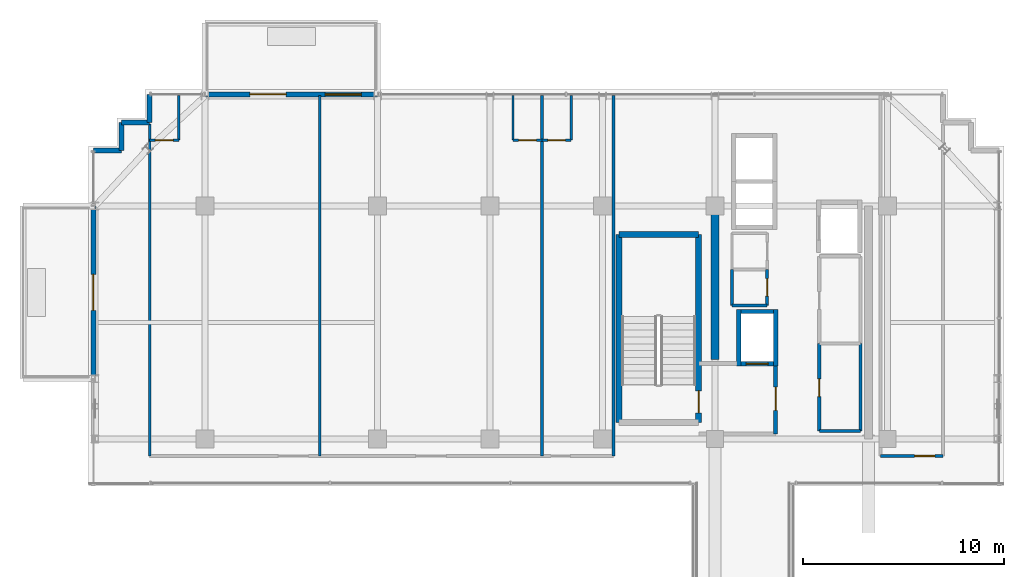
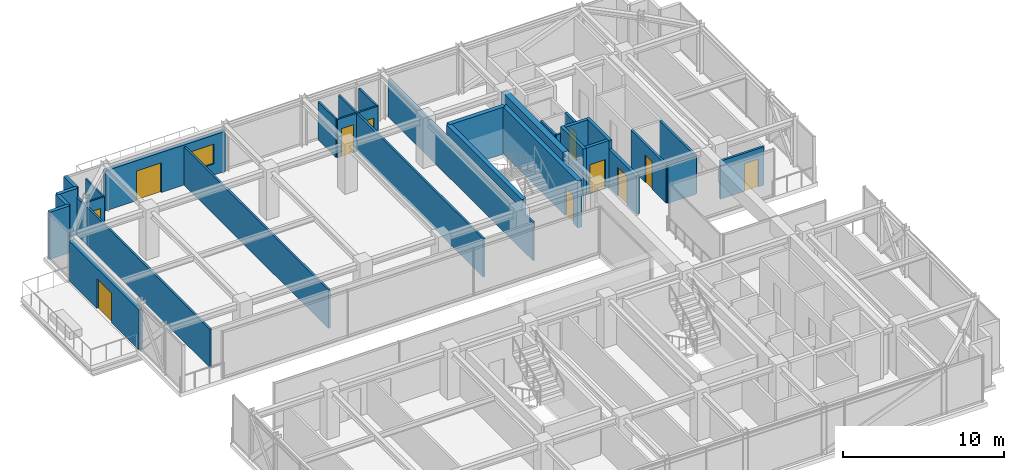
# One storey, part 35 of 40: 32 walls, 11 doors, 1 window, 12 openings.
"""IFC4 building model written with IfcOpenShell, lengths in metres."""

from ifc_helpers import new_model, si_unit, direction, frame, frame_2d, origin, place, context, subcontext, project, spatial, rectangle, extrude, source, transform, mapped, material, layer, layer_set, type_object, element, fill, save


model = new_model("IFC4")

# Units and contexts
model_context = context("Model", 3, precision=1e-05, world=origin(), true_north=direction((0.0, 1.0)))
body_context = subcontext(model_context, "Body", "Model", "MODEL_VIEW")
ifc_project = project(units=[si_unit("LENGTHUNIT", "METRE"), si_unit("AREAUNIT", "SQUARE_METRE"), si_unit("VOLUMEUNIT", "CUBIC_METRE"), si_unit("PLANEANGLEUNIT", "RADIAN"), si_unit("MASSUNIT", "GRAM", prefix="KILO")], contexts=[model_context])

# Site, building, storey
site_placement = place(None, origin())
site = spatial("IfcSite", under=ifc_project, at=site_placement, CompositionType="ELEMENT")
building_placement = place(site_placement, origin())
building = spatial("IfcBuilding", under=site, at=building_placement, Name="Nahalor Promenade Grand Hotel", CompositionType="ELEMENT")
storey_placement = place(building_placement, frame((0.0, 0.0, 288.800048828125)))
storey = spatial("IfcBuildingStorey", under=building, at=storey_placement, Name="L74", CompositionType="ELEMENT", Elevation=288.800048828125)

# Walls
ifc_material_1 = material(Name="Concrete B-50 (C40/50)", Category="concrete")
ifc_layer_1 = layer(ifc_material_1, 0.39990234375)
ifc_layer_set_1 = layer_set([ifc_layer_1], Name="Concrete B-50 (C40/50)")
wall_type_1 = type_object("IfcWallType", Name="Wall-CoreShear-400", PredefinedType="SHEAR", material=ifc_layer_set_1)
shared_shape_1 = source(origin(), body_context, "Body", "SweptSolid", [
    extrude(rectangle(XDim=7.64990234375, YDim=0.39990234375, at=frame_2d((3.824951171875, 0.0))), origin(), (0.0, 0.0, 1.0), 3.550048828125),
])
wall_1_placement = place(storey_placement, frame((8.39990234375, 9.35009765625, 0.0), z_axis=(0.0, 0.0, 1.0), x_axis=(0.0, 1.0, 0.0)))
element("IfcWall", 1, at=wall_1_placement, inside=storey, type_object=wall_type_1, Name="CWALL-L74-NW", PredefinedType="SHEAR", context=body_context, shape_type="MappedRepresentation", body=[
    mapped(shared_shape_1, transform((0.0, 0.0, 0.0), scale=1.0)),
])
ifc_layer_2 = layer(ifc_material_1, 0.300048828125)
ifc_layer_set_2 = layer_set([ifc_layer_2], Name="Concrete B-50 (C40/50)")
wall_type_2 = type_object("IfcWallType", Name="Wall-ShaftShear-300", PredefinedType="SHEAR", material=ifc_layer_set_2)
shared_shape_2 = source(origin(), body_context, "Body", "SweptSolid", [
    extrude(rectangle(XDim=3.97998046875, YDim=0.300048828125, at=frame_2d((1.989990234375, 0.0))), origin(), (0.0, 0.0, 1.0), 3.550048828125),
])
wall_2_placement = place(storey_placement, frame((3.610107421875, 15.590087890625, 0.0), z_axis=(0.0, 0.0, 1.0), x_axis=(1.0, 0.0, 0.0)))
element("IfcWall", 2, at=wall_2_placement, inside=storey, type_object=wall_type_2, Name="L74 Exit Stair ST1 Shaft Wall N", PredefinedType="SHEAR", context=body_context, shape_type="MappedRepresentation", body=[
    mapped(shared_shape_2, transform((0.0, 0.0, 0.0), scale=1.0)),
])
shared_shape_3 = source(origin(), body_context, "Body", "SweptSolid", [
    extrude(rectangle(XDim=9.380126953125, YDim=0.300048828125, at=frame_2d((4.68994140625, 0.0))), origin(), (0.0, 0.0, 1.0), 3.550048828125),
])
wall_3_placement = place(storey_placement, frame((3.610107421875, 6.2099609375, 0.0), z_axis=(0.0, 0.0, 1.0), x_axis=(0.0, 1.0, 0.0)))
element("IfcWall", 3, at=wall_3_placement, inside=storey, type_object=wall_type_2, Name="L74 Exit Stair ST1 Shaft Wall W", PredefinedType="SHEAR", context=body_context, shape_type="MappedRepresentation", body=[
    mapped(shared_shape_3, transform((0.0, 0.0, 0.0), scale=1.0)),
])

# Wall, opening, door
wall_4_placement = place(storey_placement, frame((7.590087890625, 6.2099609375, 0.0), z_axis=(0.0, 0.0, 1.0), x_axis=(0.0, 1.0, 0.0)))
wall_4 = element("IfcWall", 4, at=wall_4_placement, inside=storey, type_object=wall_type_2, Name="L74 Exit Stair ST1 Shaft Wall E", PredefinedType="SHEAR", context=body_context, shape_type="MappedRepresentation", body=[
    mapped(shared_shape_3, transform((0.0, 0.0, 0.0), scale=1.0)),
])
opening_1_placement = place(wall_4_placement, frame((0.489990234375, 0.0, 0.0)))
opening_1 = element("IfcOpeningElement", 5, at=opening_1_placement, cuts=wall_4, Name="Opening D-ST1", PredefinedType="OPENING", context=body_context, shape_type="SweptSolid", body=[
    extrude(rectangle(XDim=1.10009765625, YDim=2.14990234375, at=frame_2d((0.550048828125, 1.074951171875))), frame((0.0, 0.159912109375, 0.0), z_axis=(0.0, -1.0, 0.0), x_axis=(1.0, 0.0, 0.0)), (0.0, 0.0, 1.0), 0.320068359375),
])
ifc_material_2 = material(Name="Steel S355JR", Category="steel")
door_type_1 = type_object("IfcDoorType", Name="Door-StairFire-1100", OperationType="NOTDEFINED", PredefinedType="DOOR", material=ifc_material_2)
shared_shape_4 = source(origin(), body_context, "Body", "SweptSolid", [
    extrude(rectangle(XDim=1.10009765625, YDim=2.14990234375, at=frame_2d((0.550048828125, 1.074951171875))), frame((0.0, 0.02490234375, 0.0), z_axis=(0.0, -1.0, 0.0), x_axis=(1.0, 0.0, 0.0)), (0.0, 0.0, 1.0), 0.050048828125),
])
door_1_placement = place(opening_1_placement, origin())
door_1 = element("IfcDoor", 6, at=door_1_placement, inside=storey, type_object=door_type_1, Name="DR-STAIR-ST1-L74", OperationType="SINGLE_SWING_LEFT", OverallHeight=2.14990234375, OverallWidth=1.10009765625, PredefinedType="DOOR", context=body_context, shape_type="MappedRepresentation", body=[
    mapped(shared_shape_4, transform((0.0, 0.0, 0.0), scale=1.0)),
])
fill(opening_1, door_1)

# Walls
ifc_layer_3 = layer(ifc_material_1, 0.219970703125)
ifc_layer_set_3 = layer_set([ifc_layer_3], Name="Concrete B-50 (C40/50)")
wall_type_3 = type_object("IfcWallType", Name="Wall-LiftShaft-220", PredefinedType="SHEAR", material=ifc_layer_set_3)
shared_shape_5 = source(origin(), body_context, "Body", "SweptSolid", [
    extrude(rectangle(XDim=2.820068359375, YDim=0.219970703125, at=frame_2d((1.41015625, 0.0))), origin(), (0.0, 0.0, 1.0), 3.550048828125),
])
for number, where, z_axis, x_axis, name in (
    (7, (9.580078125, 9.0400390625, 0.0), (0.0, 0.0, 1.0), (0.0, 1.0, 0.0), "L74 Lift FL1 Hoistway Wall W"),
    (8, (11.419921875, 9.0400390625, 0.0), (0.0, 0.0, 1.0), (0.0, 1.0, 0.0), "L74 Lift FL1 Hoistway Wall E"),
):
    element("IfcWall", number, at=place(storey_placement, frame(where, z_axis=z_axis, x_axis=x_axis)), inside=storey, type_object=wall_type_3, Name=name, PredefinedType="SHEAR", context=body_context, shape_type="MappedRepresentation", body=[
        mapped(shared_shape_5, transform((0.0, 0.0, 0.0), scale=1.0)),
    ])

# Wall, opening, door
shared_shape_6 = source(origin(), body_context, "Body", "SweptSolid", [
    extrude(rectangle(XDim=1.6201171875, YDim=0.219970703125, at=frame_2d((0.81005859375, 0.0))), origin(), (0.0, 0.0, 1.0), 3.550048828125),
])
wall_5_placement = place(storey_placement, frame((9.68994140625, 9.14990234375, 0.0), z_axis=(0.0, 0.0, 1.0), x_axis=(1.0, 0.0, 0.0)))
wall_5 = element("IfcWall", 9, at=wall_5_placement, inside=storey, type_object=wall_type_3, Name="L74 Lift FL1 Hoistway Wall S", PredefinedType="SHEAR", context=body_context, shape_type="MappedRepresentation", body=[
    mapped(shared_shape_6, transform((0.0, 0.0, 0.0), scale=1.0)),
])
opening_2_placement = place(wall_5_placement, frame((0.260009765625, 0.0, 0.0)))
opening_2 = element("IfcOpeningElement", 10, at=opening_2_placement, cuts=wall_5, Name="Opening LD-02", PredefinedType="OPENING", context=body_context, shape_type="SweptSolid", body=[
    extrude(rectangle(XDim=1.10009765625, YDim=2.199951171875, at=frame_2d((0.550048828125, 1.10009765625))), frame((0.0, 0.119873046875, 0.0), z_axis=(0.0, -1.0, 0.0), x_axis=(1.0, 0.0, 0.0)), (0.0, 0.0, 1.0), 0.239990234375),
])
door_type_2 = type_object("IfcDoorType", Name="Door-LiftFF-1100", OperationType="DOUBLE_DOOR_SLIDING", PredefinedType="DOOR", material=ifc_material_2)
shared_shape_7 = source(origin(), body_context, "Body", "SweptSolid", [
    extrude(rectangle(XDim=1.10009765625, YDim=2.199951171875, at=frame_2d((0.550048828125, 1.10009765625))), frame((0.0, 0.02490234375, 0.0), z_axis=(0.0, -1.0, 0.0), x_axis=(1.0, 0.0, 0.0)), (0.0, 0.0, 1.0), 0.050048828125),
])
door_2_placement = place(opening_2_placement, frame((1.10009765625, 0.0, 0.0), z_axis=(0.0, 0.0, 1.0), x_axis=(-1.0, 0.0, 0.0)))
door_2 = element("IfcDoor", 11, at=door_2_placement, inside=storey, type_object=door_type_2, Name="DR-LIFT-FL1-L74", OperationType="DOUBLE_DOOR_SLIDING", OverallHeight=2.199951171875, OverallWidth=1.10009765625, PredefinedType="DOOR", context=body_context, shape_type="MappedRepresentation", body=[
    mapped(shared_shape_7, transform((0.0, 0.0, 0.0), scale=1.0)),
])
fill(opening_2, door_2)

# Walls
wall_6_placement = place(storey_placement, frame((9.68994140625, 11.75, 0.0), z_axis=(0.0, 0.0, 1.0), x_axis=(1.0, 0.0, 0.0)))
element("IfcWall", 12, at=wall_6_placement, inside=storey, type_object=wall_type_3, Name="L74 Lift FL1 Hoistway Wall N", PredefinedType="SHEAR", context=body_context, shape_type="MappedRepresentation", body=[
    mapped(shared_shape_6, transform((0.0, 0.0, 0.0), scale=1.0)),
])
ifc_material_3 = material(Name="Concrete B-40 (C32/40)", Category="concrete")
ifc_layer_4 = layer(ifc_material_3, 0.25)
ifc_layer_set_4 = layer_set([ifc_layer_4], Name="Concrete B-40 (C32/40)")
wall_type_4 = type_object("IfcWallType", Name="Wall-BronzePier-250", PredefinedType="STANDARD", material=ifc_layer_set_4)
shared_shape_8 = source(origin(), body_context, "Body", "SweptSolid", [
    extrude(rectangle(XDim=1.400146484375, YDim=0.25, at=frame_2d((0.7001953125, 0.0))), origin(), (0.0, 0.0, 1.0), 3.550048828125),
])
for number, where, z_axis, x_axis, name in (
    (13, (-19.760009765625, 21.159912109375, 0.0), (0.0, 0.0, 1.0), (0.0, 1.0, 0.0), "W-L74-SR-09"),
    (14, (-22.56005859375, 19.760009765625, 0.0), (0.0, 0.0, 1.0), (1.0, 0.0, 0.0), "W-L74-SR-12"),
):
    element("IfcWall", number, at=place(storey_placement, frame(where, z_axis=z_axis, x_axis=x_axis)), inside=storey, type_object=wall_type_4, Name=name, PredefinedType="STANDARD", context=body_context, shape_type="MappedRepresentation", body=[
        mapped(shared_shape_8, transform((0.0, 0.0, 0.0), scale=1.0)),
    ])
shared_shape_9 = source(origin(), body_context, "Body", "SweptSolid", [
    extrude(rectangle(XDim=1.39990234375, YDim=0.25, at=frame_2d((0.699951171875, 0.0))), origin(), (0.0, 0.0, 1.0), 3.550048828125),
])
for number, where, z_axis, x_axis, name in (
    (15, (-21.159912109375, 21.159912109375, 0.0), (0.0, 0.0, 1.0), (1.0, 0.0, 0.0), "W-L74-SR-10"),
    (16, (-21.159912109375, 19.760009765625, 0.0), (0.0, 0.0, 1.0), (0.0, 1.0, 0.0), "W-L74-SR-11"),
):
    element("IfcWall", number, at=place(storey_placement, frame(where, z_axis=z_axis, x_axis=x_axis)), inside=storey, type_object=wall_type_4, Name=name, PredefinedType="STANDARD", context=body_context, shape_type="MappedRepresentation", body=[
        mapped(shared_shape_9, transform((0.0, 0.0, 0.0), scale=1.0)),
    ])

# Wall, openings, door, window
ifc_layer_5 = layer(ifc_material_3, 0.260009765625)
ifc_layer_set_5 = layer_set([ifc_layer_5], Name="Concrete B-40 (C32/40)")
wall_type_5 = type_object("IfcWallType", Name="Wall-BalconyWall-260", PredefinedType="STANDARD", material=ifc_layer_set_5)
shared_shape_10 = source(origin(), body_context, "Body", "SweptSolid", [
    extrude(rectangle(XDim=8.60009765625, YDim=0.260009765625, at=frame_2d((4.300048828125, 0.0))), origin(), (0.0, 0.0, 1.0), 3.030029296875),
])
wall_7_placement = place(storey_placement, frame((-17.0, 22.56005859375, 0.0), z_axis=(0.0, 0.0, 1.0), x_axis=(1.0, 0.0, 0.0)))
wall_7 = element("IfcWall", 17, at=wall_7_placement, inside=storey, type_object=wall_type_5, Name="W-L74-BALC-N-2", PredefinedType="STANDARD", context=body_context, shape_type="MappedRepresentation", body=[
    mapped(shared_shape_10, transform((0.0, 0.0, 0.0), scale=1.0)),
])
opening_3_placement = place(wall_7_placement, frame((2.23291015625, 0.0, 0.0)))
opening_3 = element("IfcOpeningElement", 18, at=opening_3_placement, cuts=wall_7, Name="Opening D-BC1", PredefinedType="OPENING", context=body_context, shape_type="SweptSolid", body=[
    extrude(rectangle(XDim=1.800048828125, YDim=2.25, at=frame_2d((0.89990234375, 1.125))), frame((0.0, 0.139892578125, 0.0), z_axis=(0.0, -1.0, 0.0), x_axis=(1.0, 0.0, 0.0)), (0.0, 0.0, 1.0), 0.280029296875),
])
opening_4_placement = place(wall_7_placement, frame((5.98291015625, 0.0, 0.85009765625)))
opening_4 = element("IfcOpeningElement", 19, at=opening_4_placement, cuts=wall_7, Name="Opening WN-01", PredefinedType="OPENING", context=body_context, shape_type="SweptSolid", body=[
    extrude(rectangle(XDim=1.800048828125, YDim=1.5, at=frame_2d((0.89990234375, 0.75))), frame((0.0, 0.139892578125, 0.0), z_axis=(0.0, -1.0, 0.0), x_axis=(1.0, 0.0, 0.0)), (0.0, 0.0, 1.0), 0.280029296875),
])
ifc_material_4 = material(Name="Anodised Bronze Aluminium EN AW-6063 T6", Category="aluminium")
door_type_3 = type_object("IfcDoorType", Name="Door-BalconySlide-1800", OperationType="DOUBLE_DOOR_SLIDING", PredefinedType="DOOR", material=ifc_material_4)
shared_shape_11 = source(origin(), body_context, "Body", "SweptSolid", [
    extrude(rectangle(XDim=1.800048828125, YDim=2.25, at=frame_2d((0.89990234375, 1.125))), frame((0.0, 0.02490234375, 0.0), z_axis=(0.0, -1.0, 0.0), x_axis=(1.0, 0.0, 0.0)), (0.0, 0.0, 1.0), 0.050048828125),
])
door_3_placement = place(opening_3_placement, origin())
door_3 = element("IfcDoor", 20, at=door_3_placement, inside=storey, type_object=door_type_3, Name="DR-L74-BALC-N-2", OperationType="DOUBLE_DOOR_SLIDING", OverallHeight=2.25, OverallWidth=1.800048828125, PredefinedType="DOOR", context=body_context, shape_type="MappedRepresentation", body=[
    mapped(shared_shape_11, transform((0.0, 0.0, 0.0), scale=1.0)),
])
fill(opening_3, door_3)
ifc_material_5 = material(Name="Low-E Laminated Solar Glass", Category="glass")
window_type = type_object("IfcWindowType", Name="Win-ChicagoBay-1800x1500", PartitioningType="SINGLE_PANEL", PredefinedType="WINDOW", material=ifc_material_5)
shared_shape_12 = source(origin(), body_context, "Body", "SweptSolid", [
    extrude(rectangle(XDim=1.800048828125, YDim=1.5, at=frame_2d((0.89990234375, 0.75))), frame((0.0, 0.030029296875, 0.0), z_axis=(0.0, -1.0, 0.0), x_axis=(1.0, 0.0, 0.0)), (0.0, 0.0, 1.0), 0.06005859375),
])
window_placement = place(opening_4_placement, origin())
window = element("IfcWindow", 21, at=window_placement, inside=storey, type_object=window_type, Name="WN-L74-BALC-N-2-1", OverallHeight=1.5, OverallWidth=1.800048828125, PartitioningType="SINGLE_PANEL", PredefinedType="WINDOW", context=body_context, shape_type="MappedRepresentation", body=[
    mapped(shared_shape_12, transform((0.0, 0.0, 0.0), scale=1.0)),
])
fill(opening_4, window)

# Wall, opening, door
wall_8_placement = place(storey_placement, frame((-22.56005859375, 8.39990234375, 0.0), z_axis=(0.0, 0.0, 1.0), x_axis=(0.0, 1.0, 0.0)))
wall_8 = element("IfcWall", 22, at=wall_8_placement, inside=storey, type_object=wall_type_5, Name="W-L74-BALC-W-3", PredefinedType="STANDARD", context=body_context, shape_type="MappedRepresentation", body=[
    mapped(shared_shape_10, transform((0.0, 0.0, 0.0), scale=1.0)),
])
opening_5_placement = place(wall_8_placement, frame((3.39990234375, 0.0, 0.0)))
opening_5 = element("IfcOpeningElement", 23, at=opening_5_placement, cuts=wall_8, Name="Opening D-BC1", PredefinedType="OPENING", context=body_context, shape_type="SweptSolid", body=[
    extrude(rectangle(XDim=1.800048828125, YDim=2.25, at=frame_2d((0.89990234375, 1.125))), frame((0.0, 0.139892578125, 0.0), z_axis=(0.0, -1.0, 0.0), x_axis=(1.0, 0.0, 0.0)), (0.0, 0.0, 1.0), 0.280029296875),
])
door_4_placement = place(opening_5_placement, origin())
door_4 = element("IfcDoor", 24, at=door_4_placement, inside=storey, type_object=door_type_3, Name="DR-L74-BALC-W-3", OperationType="DOUBLE_DOOR_SLIDING", OverallHeight=2.25, OverallWidth=1.800048828125, PredefinedType="DOOR", context=body_context, shape_type="MappedRepresentation", body=[
    mapped(shared_shape_11, transform((0.0, 0.0, 0.0), scale=1.0)),
])
fill(opening_5, door_4)

ifc_layer_6 = layer(ifc_material_3, 0.199951171875)
ifc_layer_set_6 = layer_set([ifc_layer_6], Name="Concrete B-40 (C32/40)")
wall_type_6 = type_object("IfcWallType", Name="Wall-PartFire-200", PredefinedType="PARTITIONING", material=ifc_layer_set_6)
shared_shape_13 = source(origin(), body_context, "Body", "SweptSolid", [
    extrude(rectangle(XDim=3.5, YDim=0.199951171875, at=frame_2d((1.75, 0.0))), origin(), (0.0, 0.0, 1.0), 2.889892578125),
])
wall_9_placement = place(storey_placement, frame((11.419921875, 5.64990234375, 0.0), z_axis=(0.0, 0.0, 1.0), x_axis=(0.0, 1.0, 0.0)))
wall_9 = element("IfcWall", 25, at=wall_9_placement, inside=storey, type_object=wall_type_6, Name="W-L74-FF1-E", PredefinedType="PARTITIONING", context=body_context, shape_type="MappedRepresentation", body=[
    mapped(shared_shape_13, transform((0.0, 0.0, 0.0), scale=1.0)),
])
opening_6_placement = place(wall_9_placement, frame((1.175048828125, 0.0, 0.0)))
opening_6 = element("IfcOpeningElement", 26, at=opening_6_placement, cuts=wall_9, Name="Opening D-FF1", PredefinedType="OPENING", context=body_context, shape_type="SweptSolid", body=[
    extrude(rectangle(XDim=1.14990234375, YDim=2.14990234375, at=frame_2d((0.574951171875, 1.074951171875))), frame((0.0, 0.10986328125, 0.0), z_axis=(0.0, -1.0, 0.0), x_axis=(1.0, 0.0, 0.0)), (0.0, 0.0, 1.0), 0.219970703125),
])
door_type_4 = type_object("IfcDoorType", Name="Door-FFLobby-1150", OperationType="NOTDEFINED", PredefinedType="DOOR", material=ifc_material_2)
shared_shape_14 = source(origin(), body_context, "Body", "SweptSolid", [
    extrude(rectangle(XDim=1.14990234375, YDim=2.14990234375, at=frame_2d((0.574951171875, 1.074951171875))), frame((0.0, 0.02490234375, 0.0), z_axis=(0.0, -1.0, 0.0), x_axis=(1.0, 0.0, 0.0)), (0.0, 0.0, 1.0), 0.050048828125),
])
door_5_placement = place(opening_6_placement, frame((1.14990234375, 0.0, 0.0), z_axis=(0.0, 0.0, 1.0), x_axis=(-1.0, 0.0, 0.0)))
door_5 = element("IfcDoor", 27, at=door_5_placement, inside=storey, type_object=door_type_4, Name="DR-L74-FFL1", OperationType="SINGLE_SWING_LEFT", OverallHeight=2.14990234375, OverallWidth=1.14990234375, PredefinedType="DOOR", context=body_context, shape_type="MappedRepresentation", body=[
    mapped(shared_shape_14, transform((0.0, 0.0, 0.0), scale=1.0)),
])
fill(opening_6, door_5)

# Walls
ifc_material_6 = material(Name="Acoustic Mineral Gypsum", Category="gypsum")
ifc_layer_7 = layer(ifc_material_6, 0.14990234375)
ifc_layer_set_7 = layer_set([ifc_layer_7], Name="Acoustic Mineral Gypsum")
wall_type_7 = type_object("IfcWallType", Name="Wall-PartService-150", PredefinedType="PARTITIONING", material=ifc_layer_set_7)
shared_shape_15 = source(origin(), body_context, "Body", "SweptSolid", [
    extrude(rectangle(XDim=1.75, YDim=0.14990234375, at=frame_2d((0.875, 0.0))), origin(), (0.0, 0.0, 1.0), 2.889892578125),
])
wall_10_placement = place(storey_placement, frame((9.25, 12.050048828125, 0.0), z_axis=(0.0, 0.0, 1.0), x_axis=(1.0, 0.0, 0.0)))
element("IfcWall", 28, at=wall_10_placement, inside=storey, type_object=wall_type_7, Name="W-L74-CK2A-S", PredefinedType="PARTITIONING", context=body_context, shape_type="MappedRepresentation", body=[
    mapped(shared_shape_15, transform((0.0, 0.0, 0.0), scale=1.0)),
])
shared_shape_16 = source(origin(), body_context, "Body", "SweptSolid", [
    extrude(rectangle(XDim=1.800048828125, YDim=0.14990234375, at=frame_2d((0.89990234375, 0.0))), origin(), (0.0, 0.0, 1.0), 2.889892578125),
])
wall_11_placement = place(storey_placement, frame((9.25, 12.050048828125, 0.0), z_axis=(0.0, 0.0, 1.0), x_axis=(0.0, 1.0, 0.0)))
element("IfcWall", 29, at=wall_11_placement, inside=storey, type_object=wall_type_7, Name="W-L74-CK2A-W", PredefinedType="PARTITIONING", context=body_context, shape_type="MappedRepresentation", body=[
    mapped(shared_shape_16, transform((0.0, 0.0, 0.0), scale=1.0)),
])

# Wall, opening, door
wall_12_placement = place(storey_placement, frame((11.0, 12.050048828125, 0.0), z_axis=(0.0, 0.0, 1.0), x_axis=(0.0, 1.0, 0.0)))
wall_12 = element("IfcWall", 30, at=wall_12_placement, inside=storey, type_object=wall_type_7, Name="W-L74-CK2A-E", PredefinedType="PARTITIONING", context=body_context, shape_type="MappedRepresentation", body=[
    mapped(shared_shape_16, transform((0.0, 0.0, 0.0), scale=1.0)),
])
opening_7_placement = place(wall_12_placement, frame((0.4599609375, 0.0, 0.0)))
opening_7 = element("IfcOpeningElement", 31, at=opening_7_placement, cuts=wall_12, Name="Opening D-03", PredefinedType="OPENING", context=body_context, shape_type="SweptSolid", body=[
    extrude(rectangle(XDim=0.8798828125, YDim=2.10009765625, at=frame_2d((0.43994140625, 1.050048828125))), frame((0.0, 0.0849609375, 0.0), z_axis=(0.0, -1.0, 0.0), x_axis=(1.0, 0.0, 0.0)), (0.0, 0.0, 1.0), 0.169921875),
])
ifc_material_7 = material(Name="Fire-Rated Timber Composite", Category="wood")
door_type_5 = type_object("IfcDoorType", Name="Door-BathSwing-880", OperationType="NOTDEFINED", PredefinedType="DOOR", material=ifc_material_7)
shared_shape_17 = source(origin(), body_context, "Body", "SweptSolid", [
    extrude(rectangle(XDim=0.8798828125, YDim=2.10009765625, at=frame_2d((0.43994140625, 1.050048828125))), frame((0.0, 0.02490234375, 0.0), z_axis=(0.0, -1.0, 0.0), x_axis=(1.0, 0.0, 0.0)), (0.0, 0.0, 1.0), 0.050048828125),
])
door_6_placement = place(opening_7_placement, origin())
door_6 = element("IfcDoor", 32, at=door_6_placement, inside=storey, type_object=door_type_5, Name="DR-L74-CK2A", OperationType="SINGLE_SWING_LEFT", OverallHeight=2.10009765625, OverallWidth=0.8798828125, PredefinedType="DOOR", context=body_context, shape_type="MappedRepresentation", body=[
    mapped(shared_shape_17, transform((0.0, 0.0, 0.0), scale=1.0)),
])
fill(opening_7, door_6)

# Wall
ifc_layer_8 = layer(ifc_material_6, 0.159912109375)
ifc_layer_set_8 = layer_set([ifc_layer_8], Name="Acoustic Mineral Gypsum")
wall_type_8 = type_object("IfcWallType", Name="Wall-PartCorridor-160", PredefinedType="PARTITIONING", material=ifc_layer_set_8)
shared_shape_18 = source(origin(), body_context, "Body", "SweptSolid", [
    extrude(rectangle(XDim=2.0498046875, YDim=0.159912109375, at=frame_2d((1.02490234375, 0.0))), origin(), (0.0, 0.0, 1.0), 2.889892578125),
])
wall_13_placement = place(storey_placement, frame((13.60009765625, 5.800048828125, 0.0), z_axis=(0.0, 0.0, 1.0), x_axis=(1.0, 0.0, 0.0)))
element("IfcWall", 33, at=wall_13_placement, inside=storey, type_object=wall_type_8, Name="W-L74-FRB1A-S", PredefinedType="PARTITIONING", context=body_context, shape_type="MappedRepresentation", body=[
    mapped(shared_shape_18, transform((0.0, 0.0, 0.0), scale=1.0)),
])

# Wall, opening, door
shared_shape_19 = source(origin(), body_context, "Body", "SweptSolid", [
    extrude(rectangle(XDim=4.349853515625, YDim=0.159912109375, at=frame_2d((2.1748046875, 0.0))), origin(), (0.0, 0.0, 1.0), 2.889892578125),
])
wall_14_placement = place(storey_placement, frame((13.60009765625, 5.800048828125, 0.0), z_axis=(0.0, 0.0, 1.0), x_axis=(0.0, 1.0, 0.0)))
wall_14 = element("IfcWall", 34, at=wall_14_placement, inside=storey, type_object=wall_type_8, Name="W-L74-FRB1A-W", PredefinedType="PARTITIONING", context=body_context, shape_type="MappedRepresentation", body=[
    mapped(shared_shape_19, transform((0.0, 0.0, 0.0), scale=1.0)),
])
opening_8_placement = place(wall_14_placement, frame((1.7099609375, 0.0, 0.0)))
opening_8 = element("IfcOpeningElement", 35, at=opening_8_placement, cuts=wall_14, Name="Opening D-03", PredefinedType="OPENING", context=body_context, shape_type="SweptSolid", body=[
    extrude(rectangle(XDim=0.8798828125, YDim=2.10009765625, at=frame_2d((0.43994140625, 1.050048828125))), frame((0.0, 0.08984375, 0.0), z_axis=(0.0, -1.0, 0.0), x_axis=(1.0, 0.0, 0.0)), (0.0, 0.0, 1.0), 0.179931640625),
])
door_7_placement = place(opening_8_placement, frame((0.8798828125, 0.0, 0.0), z_axis=(0.0, 0.0, 1.0), x_axis=(-1.0, 0.0, 0.0)))
door_7 = element("IfcDoor", 36, at=door_7_placement, inside=storey, type_object=door_type_5, Name="DR-L74-FRB1A", OperationType="SINGLE_SWING_LEFT", OverallHeight=2.10009765625, OverallWidth=0.8798828125, PredefinedType="DOOR", context=body_context, shape_type="MappedRepresentation", body=[
    mapped(shared_shape_17, transform((0.0, 0.0, 0.0), scale=1.0)),
])
fill(opening_8, door_7)

# Wall
wall_15_placement = place(storey_placement, frame((15.64990234375, 5.800048828125, 0.0), z_axis=(0.0, 0.0, 1.0), x_axis=(0.0, 1.0, 0.0)))
element("IfcWall", 37, at=wall_15_placement, inside=storey, type_object=wall_type_8, Name="W-L74-FRB1A-E", PredefinedType="PARTITIONING", context=body_context, shape_type="MappedRepresentation", body=[
    mapped(shared_shape_19, transform((0.0, 0.0, 0.0), scale=1.0)),
])

# Wall, opening, door
shared_shape_20 = source(origin(), body_context, "Body", "SweptSolid", [
    extrude(rectangle(XDim=3.110107421875, YDim=0.159912109375, at=frame_2d((1.55517578125, 0.0))), origin(), (0.0, 0.0, 1.0), 2.889892578125),
])
wall_16_placement = place(storey_placement, frame((16.64990234375, 4.550048828125, 0.0), z_axis=(0.0, 0.0, 1.0), x_axis=(1.0, 0.0, 0.0)))
wall_16 = element("IfcWall", 38, at=wall_16_placement, inside=storey, type_object=wall_type_8, Name="W-L74-ENE-S", PredefinedType="PARTITIONING", context=body_context, shape_type="MappedRepresentation", body=[
    mapped(shared_shape_20, transform((0.0, 0.0, 0.0), scale=1.0)),
])
opening_9_placement = place(wall_16_placement, frame((1.700927734375, 0.0, 0.0)))
opening_9 = element("IfcOpeningElement", 39, at=opening_9_placement, cuts=wall_16, Name="Opening D-04", PredefinedType="OPENING", context=body_context, shape_type="SweptSolid", body=[
    extrude(rectangle(XDim=1.0, YDim=2.10009765625, at=frame_2d((0.5, 1.050048828125))), frame((0.0, 0.08984375, 0.0), z_axis=(0.0, -1.0, 0.0), x_axis=(1.0, 0.0, 0.0)), (0.0, 0.0, 1.0), 0.179931640625),
])
door_type_6 = type_object("IfcDoorType", Name="Door-ServiceFire-1000", OperationType="NOTDEFINED", PredefinedType="DOOR", material=ifc_material_2)
shared_shape_21 = source(origin(), body_context, "Body", "SweptSolid", [
    extrude(rectangle(XDim=1.0, YDim=2.10009765625, at=frame_2d((0.5, 1.050048828125))), frame((0.0, 0.02490234375, 0.0), z_axis=(0.0, -1.0, 0.0), x_axis=(1.0, 0.0, 0.0)), (0.0, 0.0, 1.0), 0.050048828125),
])
door_8_placement = place(opening_9_placement, origin())
door_8 = element("IfcDoor", 40, at=door_8_placement, inside=storey, type_object=door_type_6, Name="DR-L74-ENE", OperationType="SINGLE_SWING_LEFT", OverallHeight=2.10009765625, OverallWidth=1.0, PredefinedType="DOOR", context=body_context, shape_type="MappedRepresentation", body=[
    mapped(shared_shape_21, transform((0.0, 0.0, 0.0), scale=1.0)),
])
fill(opening_9, door_8)

# Walls
ifc_layer_9 = layer(ifc_material_6, 0.139892578125)
ifc_layer_set_9 = layer_set([ifc_layer_9], Name="Acoustic Mineral Gypsum")
wall_type_9 = type_object("IfcWallType", Name="Wall-PartSuite-140", PredefinedType="PARTITIONING", material=ifc_layer_set_9)
shared_shape_22 = source(origin(), body_context, "Body", "SweptSolid", [
    extrude(rectangle(XDim=16.530029296875, YDim=0.139892578125, at=frame_2d((8.26513671875, 0.0))), origin(), (0.0, 0.0, 1.0), 2.889892578125),
])
wall_17_placement = place(storey_placement, frame((-19.760009765625, 4.550048828125, 0.0), z_axis=(0.0, 0.0, 1.0), x_axis=(0.0, 1.0, 0.0)))
element("IfcWall", 41, at=wall_17_placement, inside=storey, type_object=wall_type_9, Name="W-L74-NW-ENDW", PredefinedType="PARTITIONING", context=body_context, shape_type="MappedRepresentation", body=[
    mapped(shared_shape_22, transform((0.0, 0.0, 0.0), scale=1.0)),
])
shared_shape_23 = source(origin(), body_context, "Body", "SweptSolid", [
    extrude(rectangle(XDim=17.949951171875, YDim=0.139892578125, at=frame_2d((8.97509765625, 0.0))), origin(), (0.0, 0.0, 1.0), 2.889892578125),
])
for number, where, z_axis, x_axis, name in (
    (42, (3.340087890625, 4.550048828125, 0.0), (0.0, 0.0, 1.0), (0.0, 1.0, 0.0), "W-L74-NW-ENDE"),
    (43, (-11.284912109375, 4.550048828125, 0.0), (0.0, 0.0, 1.0), (0.0, 1.0, 0.0), "W-L74-NP-1"),
    (44, (-0.2099609375, 4.550048828125, 0.0), (0.0, 0.0, 1.0), (0.0, 1.0, 0.0), "W-L74-NP-2"),
):
    element("IfcWall", number, at=place(storey_placement, frame(where, z_axis=z_axis, x_axis=x_axis)), inside=storey, type_object=wall_type_9, Name=name, PredefinedType="PARTITIONING", context=body_context, shape_type="MappedRepresentation", body=[
        mapped(shared_shape_23, transform((0.0, 0.0, 0.0), scale=1.0)),
    ])

# Wall, opening, door
ifc_layer_10 = layer(ifc_material_6, 0.1201171875)
ifc_layer_set_10 = layer_set([ifc_layer_10], Name="Acoustic Mineral Gypsum")
wall_type_10 = type_object("IfcWallType", Name="Wall-PartBath-120", PredefinedType="PARTITIONING", material=ifc_layer_set_10)
shared_shape_24 = source(origin(), body_context, "Body", "SweptSolid", [
    extrude(rectangle(XDim=1.449951171875, YDim=0.1201171875, at=frame_2d((0.72509765625, 0.0))), origin(), (0.0, 0.0, 1.0), 2.889892578125),
])
wall_18_placement = place(storey_placement, frame((-19.760009765625, 20.280029296875, 0.0), z_axis=(0.0, 0.0, 1.0), x_axis=(1.0, 0.0, 0.0)))
wall_18 = element("IfcWall", 45, at=wall_18_placement, inside=storey, type_object=wall_type_10, Name="W-L74-N1-BH", PredefinedType="PARTITIONING", context=body_context, shape_type="MappedRepresentation", body=[
    mapped(shared_shape_24, transform((0.0, 0.0, 0.0), scale=1.0)),
])
opening_10_placement = place(wall_18_placement, frame((0.284912109375, 0.0, 0.0)))
opening_10 = element("IfcOpeningElement", 46, at=opening_10_placement, cuts=wall_18, Name="Opening D-03", PredefinedType="OPENING", context=body_context, shape_type="SweptSolid", body=[
    extrude(rectangle(XDim=0.8798828125, YDim=2.10009765625, at=frame_2d((0.43994140625, 1.050048828125))), frame((0.0, 0.070068359375, 0.0), z_axis=(0.0, -1.0, 0.0), x_axis=(1.0, 0.0, 0.0)), (0.0, 0.0, 1.0), 0.14013671875),
])
door_9_placement = place(opening_10_placement, origin())
door_9 = element("IfcDoor", 47, at=door_9_placement, inside=storey, type_object=door_type_5, Name="DR-L74-N1-BATH", OperationType="SINGLE_SWING_LEFT", OverallHeight=2.10009765625, OverallWidth=0.8798828125, PredefinedType="DOOR", context=body_context, shape_type="MappedRepresentation", body=[
    mapped(shared_shape_17, transform((0.0, 0.0, 0.0), scale=1.0)),
])
fill(opening_10, door_9)

wall_19_placement = place(storey_placement, frame((-1.659912109375, 20.280029296875, 0.0), z_axis=(0.0, 0.0, 1.0), x_axis=(1.0, 0.0, 0.0)))
wall_19 = element("IfcWall", 48, at=wall_19_placement, inside=storey, type_object=wall_type_10, Name="W-L74-N2-BH", PredefinedType="PARTITIONING", context=body_context, shape_type="MappedRepresentation", body=[
    mapped(shared_shape_24, transform((0.0, 0.0, 0.0), scale=1.0)),
])
opening_11_placement = place(wall_19_placement, frame((0.284912109375, 0.0, 0.0)))
opening_11 = element("IfcOpeningElement", 49, at=opening_11_placement, cuts=wall_19, Name="Opening D-03", PredefinedType="OPENING", context=body_context, shape_type="SweptSolid", body=[
    extrude(rectangle(XDim=0.8798828125, YDim=2.10009765625, at=frame_2d((0.43994140625, 1.050048828125))), frame((0.0, 0.070068359375, 0.0), z_axis=(0.0, -1.0, 0.0), x_axis=(1.0, 0.0, 0.0)), (0.0, 0.0, 1.0), 0.14013671875),
])
door_10_placement = place(opening_11_placement, origin())
door_10 = element("IfcDoor", 50, at=door_10_placement, inside=storey, type_object=door_type_5, Name="DR-L74-N2-BATH", OperationType="SINGLE_SWING_RIGHT", OverallHeight=2.10009765625, OverallWidth=0.8798828125, PredefinedType="DOOR", context=body_context, shape_type="MappedRepresentation", body=[
    mapped(shared_shape_17, transform((0.0, 0.0, 0.0), scale=1.0)),
])
fill(opening_11, door_10)

wall_20_placement = place(storey_placement, frame((-0.2099609375, 20.280029296875, 0.0), z_axis=(0.0, 0.0, 1.0), x_axis=(1.0, 0.0, 0.0)))
wall_20 = element("IfcWall", 51, at=wall_20_placement, inside=storey, type_object=wall_type_10, Name="W-L74-N3-BH", PredefinedType="PARTITIONING", context=body_context, shape_type="MappedRepresentation", body=[
    mapped(shared_shape_24, transform((0.0, 0.0, 0.0), scale=1.0)),
])
opening_12_placement = place(wall_20_placement, frame((0.284912109375, 0.0, 0.0)))
opening_12 = element("IfcOpeningElement", 52, at=opening_12_placement, cuts=wall_20, Name="Opening D-03", PredefinedType="OPENING", context=body_context, shape_type="SweptSolid", body=[
    extrude(rectangle(XDim=0.8798828125, YDim=2.10009765625, at=frame_2d((0.43994140625, 1.050048828125))), frame((0.0, 0.070068359375, 0.0), z_axis=(0.0, -1.0, 0.0), x_axis=(1.0, 0.0, 0.0)), (0.0, 0.0, 1.0), 0.14013671875),
])
door_11_placement = place(opening_12_placement, origin())
door_11 = element("IfcDoor", 53, at=door_11_placement, inside=storey, type_object=door_type_5, Name="DR-L74-N3-BATH", OperationType="SINGLE_SWING_LEFT", OverallHeight=2.10009765625, OverallWidth=0.8798828125, PredefinedType="DOOR", context=body_context, shape_type="MappedRepresentation", body=[
    mapped(shared_shape_17, transform((0.0, 0.0, 0.0), scale=1.0)),
])
fill(opening_12, door_11)

# Walls
shared_shape_25 = source(origin(), body_context, "Body", "SweptSolid", [
    extrude(rectangle(XDim=2.219970703125, YDim=0.1201171875, at=frame_2d((1.10986328125, 0.0))), origin(), (0.0, 0.0, 1.0), 2.889892578125),
])
for number, where, z_axis, x_axis, name in (
    (54, (-18.31005859375, 20.280029296875, 0.0), (0.0, 0.0, 1.0), (0.0, 1.0, 0.0), "W-L74-N1-BV"),
    (55, (-1.659912109375, 20.280029296875, 0.0), (0.0, 0.0, 1.0), (0.0, 1.0, 0.0), "W-L74-N2-BV"),
    (56, (1.239990234375, 20.280029296875, 0.0), (0.0, 0.0, 1.0), (0.0, 1.0, 0.0), "W-L74-N3-BV"),
):
    element("IfcWall", number, at=place(storey_placement, frame(where, z_axis=z_axis, x_axis=x_axis)), inside=storey, type_object=wall_type_10, Name=name, PredefinedType="PARTITIONING", context=body_context, shape_type="MappedRepresentation", body=[
        mapped(shared_shape_25, transform((0.0, 0.0, 0.0), scale=1.0)),
    ])

save(model, "model.ifc")
